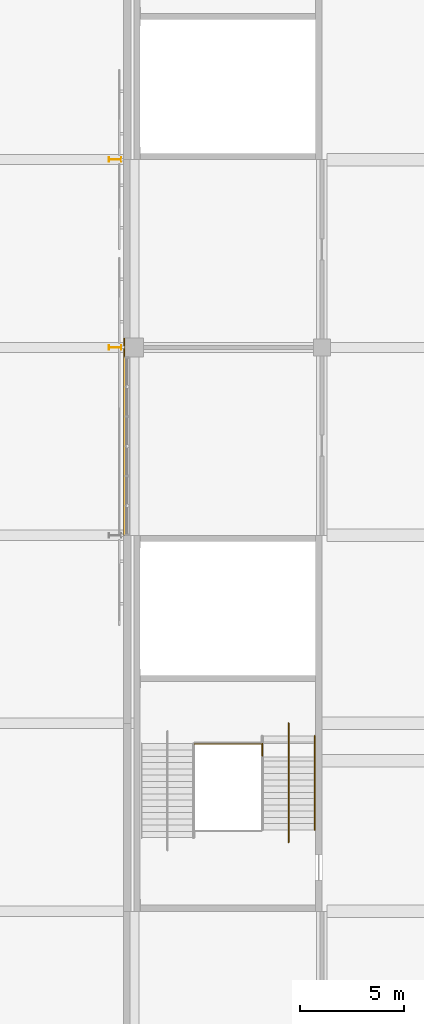
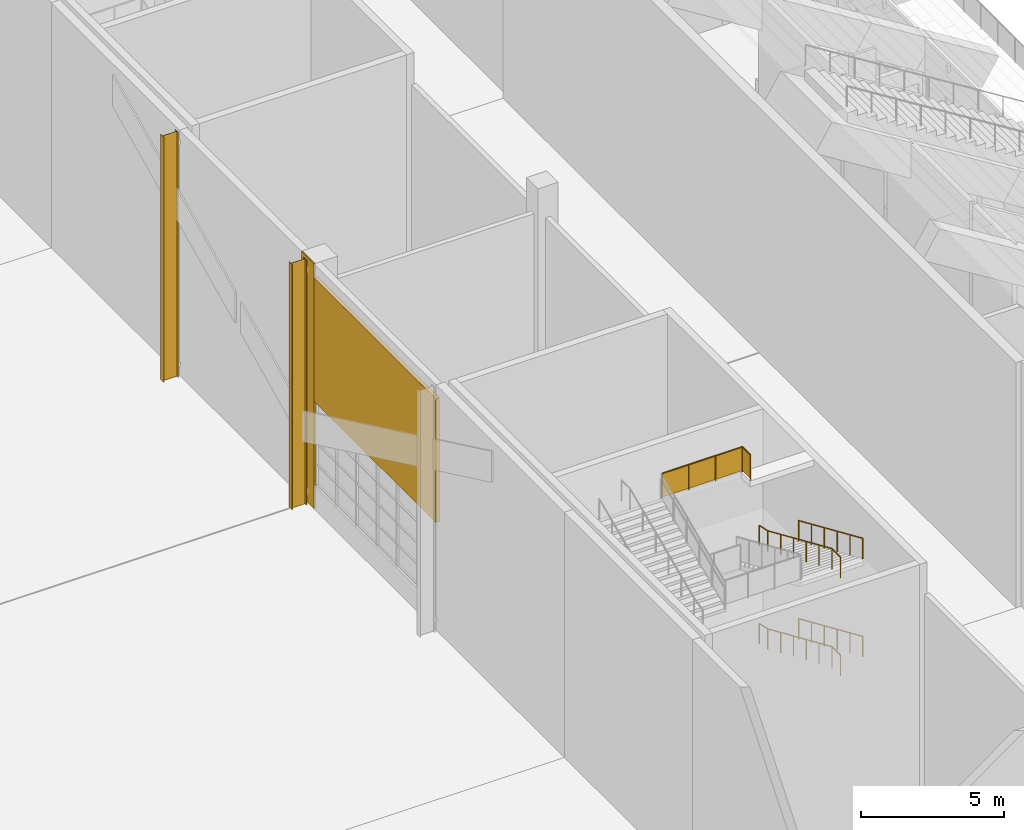
# One storey, part 148 of 182: 5 railings, 2 coverings, 2 shading devices.
"""IFC4 building model written with IfcOpenShell, lengths in metres."""

from ifc_helpers import new_model, si_unit, direction, frame, origin, origin_2d, place, context, subcontext, project, spatial, polyline, circle, i_section, outline, extrude, material, layer, layer_set, material_profile, profile_set, type_object, element, save


model = new_model("IFC4")

# Units and contexts
model_context = context("Model", 3, precision=1e-05, world=origin(), true_north=direction((0.0, 1.0)))
body_context = subcontext(model_context, "Body", "Model", "MODEL_VIEW")
ifc_project = project(units=[si_unit("LENGTHUNIT", "METRE"), si_unit("AREAUNIT", "SQUARE_METRE"), si_unit("VOLUMEUNIT", "CUBIC_METRE"), si_unit("PLANEANGLEUNIT", "RADIAN"), si_unit("MASSUNIT", "GRAM", prefix="KILO")], contexts=[model_context])

# Site, building, storey
site_placement = place(None, origin())
site = spatial("IfcSite", under=ifc_project, at=site_placement, CompositionType="ELEMENT")
building_placement = place(site_placement, origin())
building = spatial("IfcBuilding", under=site, at=building_placement, Name="Silverbay Arena", CompositionType="ELEMENT")
storey_placement = place(building_placement, frame((0.0, 0.0, 11.5)))
storey = spatial("IfcBuildingStorey", under=building, at=storey_placement, Name="L02", CompositionType="ELEMENT", Elevation=11.5)

# Coverings
ifc_material_1 = material(Name="Aluminium composite cladding", Category="aluminium")
ifc_layer_1 = layer(ifc_material_1, 0.050048828125)
ifc_layer_set_1 = layer_set([ifc_layer_1], Name="Aluminium composite cladding")
covering_type_1 = type_object("IfcCoveringType", Name="Column cladding 50", PredefinedType="CLADDING", material=ifc_layer_set_1)
covering_1_placement = place(storey_placement, origin())
element("IfcCovering", 1, at=covering_1_placement, inside=storey, type_object=covering_type_1, Name="West column cladding L02 9", PredefinedType="CLADDING", context=body_context, shape_type="SweptSolid", body=[
    extrude(outline(polyline([(53.5, 80.550048828125), (53.550048828125, 80.550048828125), (53.550048828125, 81.449951171875), (53.5, 81.449951171875), (53.5, 80.550048828125)])), origin(), (0.0, 0.0, 1.0), 10.5),
])
ifc_material_2 = material(Name="Aluminium composite cladding", Category="aluminium")
ifc_layer_2 = layer(ifc_material_2, 0.14990234375)
ifc_layer_set_2 = layer_set([ifc_layer_2], Name="Aluminium composite cladding")
covering_type_2 = type_object("IfcCoveringType", Name="Facade cladding panel 150", PredefinedType="CLADDING", material=ifc_layer_set_2)
covering_2_placement = place(storey_placement, frame((0.0, 0.0, 4.60009765625)))
element("IfcCovering", 2, at=covering_2_placement, inside=storey, type_object=covering_type_2, Name="West facade cladding L02 bay 7", PredefinedType="CLADDING", context=body_context, shape_type="SweptSolid", body=[
    extrude(outline(polyline([(53.5, 72.0), (53.64990234375, 72.0), (53.64990234375, 80.550048828125), (53.5, 80.550048828125), (53.5, 72.0)])), origin(), (0.0, 0.0, 1.0), 5.2998046875),
])

# Railings
ifc_material_3 = material(Name="Stainless steel", Category="steel")
railing_type_1 = type_object("IfcRailingType", Name="Stair guard 1100", PredefinedType="GUARDRAIL", material=ifc_material_3)
railing_1_placement = place(storey_placement, frame((60.14990234375, 61.449951171875, 10.5)))
element("IfcRailing", 3, at=railing_1_placement, inside=storey, type_object=railing_type_1, Name="Stair ST-W1 L02 to L03 landing 5 guard", PredefinedType="GUARDRAIL", context=body_context, shape_type="SweptSolid", body=[
    extrude(circle(Radius=0.02392578125, at=origin_2d()), frame((0.0, 0.0, 1.076171875), z_axis=(0.0, 1.0, 0.0), x_axis=(-1.0, 0.0, 0.0)), (0.0, 0.0, 1.0), 0.575927734375),
    extrude(outline(polyline([(-0.008056640625, 0.050048828125), (0.583984375, 0.050048828125), (0.583984375, 1.052978515625), (-0.008056640625, 1.052978515625), (-0.008056640625, 0.050048828125)])), frame((-0.0029296875, 0.0, 0.0), z_axis=(1.0, 0.0, 0.0), x_axis=(0.0, 1.0, 0.0)), (0.0, 0.0, 1.0), 0.006103515625),
    extrude(circle(Radius=0.02392578125, at=origin_2d()), frame((0.0, 0.575927734375, 1.076171875), z_axis=(-1.0, 0.0, 0.0), x_axis=(0.0, -1.0, 0.0)), (0.0, 0.0, 1.0), 3.25),
    extrude(outline(polyline([(-0.008056640625, 0.050048828125), (1.09130859375, 0.050048828125), (1.09130859375, 1.052978515625), (-0.008056640625, 1.052978515625), (-0.008056640625, 0.050048828125)])), frame((0.0, 0.572998046875, 0.0), z_axis=(0.0, 1.0, 0.0), x_axis=(-1.0, 0.0, 0.0)), (0.0, 0.0, 1.0), 0.006103515625),
    extrude(outline(polyline([(-0.008056640625, 0.050048828125), (1.09130859375, 0.050048828125), (1.09130859375, 1.052978515625), (-0.008056640625, 1.052978515625), (-0.008056640625, 0.050048828125)])), frame((-1.083251953125, 0.572998046875, 0.0), z_axis=(0.0, 1.0, 0.0), x_axis=(-1.0, 0.0, 0.0)), (0.0, 0.0, 1.0), 0.006103515625),
    extrude(outline(polyline([(-0.008056640625, 0.050048828125), (1.09130859375, 0.050048828125), (1.09130859375, 1.052978515625), (-0.008056640625, 1.052978515625), (-0.008056640625, 0.050048828125)])), frame((-2.166748046875, 0.572998046875, 0.0), z_axis=(0.0, 1.0, 0.0), x_axis=(-1.0, 0.0, 0.0)), (0.0, 0.0, 1.0), 0.006103515625),
    extrude(circle(Radius=0.02099609375, at=origin_2d()), origin(), (0.0, 0.0, 1.0), 1.052001953125),
    extrude(circle(Radius=0.02099609375, at=origin_2d()), frame((0.0, 0.575927734375, 0.0)), (0.0, 0.0, 1.0), 1.052001953125),
    extrude(circle(Radius=0.02099609375, at=origin_2d()), frame((-1.083251953125, 0.575927734375, 0.0)), (0.0, 0.0, 1.0), 1.052001953125),
    extrude(circle(Radius=0.02099609375, at=origin_2d()), frame((-2.166748046875, 0.575927734375, 0.0)), (0.0, 0.0, 1.0), 1.052001953125),
    extrude(circle(Radius=0.02099609375, at=origin_2d()), frame((-3.25, 0.575927734375, 0.0)), (0.0, 0.0, 1.0), 1.052001953125),
])
ifc_material_4 = material(Name="Stainless steel", Category="steel")
railing_type_2 = type_object("IfcRailingType", Name="Stair handrail 900", PredefinedType="HANDRAIL", material=ifc_material_4)
railing_2_placement = place(storey_placement, frame((62.64990234375, 62.39990234375, 2.231201171875)))
element("IfcRailing", 4, at=railing_2_placement, inside=storey, type_object=railing_type_2, Name="Stair ST-W1 L02 to L03 flight 2 handrail left", PredefinedType="HANDRAIL", context=body_context, shape_type="SweptSolid", body=[
    extrude(circle(Radius=0.02392578125, at=origin_2d()), frame((0.0, 0.0, 0.8759765625), z_axis=(0.0, -0.916157334902, 0.40081883402), x_axis=(1.0, 0.0, 0.0)), (0.0, 0.0, 1.0), 4.911865234375),
    extrude(circle(Radius=0.02099609375, at=origin_2d()), origin(), (0.0, 0.0, 1.0), 0.851806640625),
    extrude(circle(Radius=0.02099609375, at=origin_2d()), frame((0.0, -0.89990234375, 0.393798828125)), (0.0, 0.0, 1.0), 0.851806640625),
    extrude(circle(Radius=0.02099609375, at=origin_2d()), frame((0.0, -1.800048828125, 0.78759765625)), (0.0, 0.0, 1.0), 0.851806640625),
    extrude(circle(Radius=0.02099609375, at=origin_2d()), frame((0.0, -2.699951171875, 1.18115234375)), (0.0, 0.0, 1.0), 0.851806640625),
    extrude(circle(Radius=0.02099609375, at=origin_2d()), frame((0.0, -3.60009765625, 1.574951171875)), (0.0, 0.0, 1.0), 0.851806640625),
    extrude(circle(Radius=0.02099609375, at=origin_2d()), frame((0.0, -4.5, 1.96875)), (0.0, 0.0, 1.0), 0.851806640625),
])
railing_3_placement = place(storey_placement, frame((61.39990234375, 63.0, 2.10009765625)))
element("IfcRailing", 5, at=railing_3_placement, inside=storey, type_object=railing_type_2, Name="Stair ST-W1 L02 to L03 flight 2 central handrail", PredefinedType="HANDRAIL", context=body_context, shape_type="SweptSolid", body=[
    extrude(circle(Radius=0.02392578125, at=origin_2d()), frame((0.0, 0.0, 0.8759765625), z_axis=(0.0, -0.976957027196, 0.213436095852), x_axis=(1.0, 0.0, 0.0)), (0.0, 0.0, 1.0), 0.6142578125),
    extrude(circle(Radius=0.02392578125, at=origin_2d()), frame((0.0, -0.60009765625, 1.0068359375), z_axis=(0.0, -0.916157334902, 0.40081883402), x_axis=(1.0, 0.0, 0.0)), (0.0, 0.0, 1.0), 4.911865234375),
    extrude(circle(Radius=0.02392578125, at=origin_2d()), frame((0.0, -5.10009765625, 2.9755859375), z_axis=(0.0, -1.0, 0.0), x_axis=(1.0, 0.0, 0.0)), (0.0, 0.0, 1.0), 0.599853515625),
    extrude(circle(Radius=0.02099609375, at=origin_2d()), origin(), (0.0, 0.0, 1.0), 0.851806640625),
    extrude(circle(Radius=0.02099609375, at=origin_2d()), frame((0.0, -0.60009765625, 0.131103515625)), (0.0, 0.0, 1.0), 0.851806640625),
    extrude(circle(Radius=0.02099609375, at=origin_2d()), frame((0.0, -1.5, 0.52490234375)), (0.0, 0.0, 1.0), 0.851806640625),
    extrude(circle(Radius=0.02099609375, at=origin_2d()), frame((0.0, -2.400146484375, 0.918701171875)), (0.0, 0.0, 1.0), 0.851806640625),
    extrude(circle(Radius=0.02099609375, at=origin_2d()), frame((0.0, -3.300048828125, 1.312255859375)), (0.0, 0.0, 1.0), 0.851806640625),
    extrude(circle(Radius=0.02099609375, at=origin_2d()), frame((0.0, -4.2001953125, 1.7060546875)), (0.0, 0.0, 1.0), 0.851806640625),
    extrude(circle(Radius=0.02099609375, at=origin_2d()), frame((0.0, -5.10009765625, 2.099853515625)), (0.0, 0.0, 1.0), 0.851806640625),
    extrude(circle(Radius=0.02099609375, at=origin_2d()), frame((0.0, -5.699951171875, 2.099853515625)), (0.0, 0.0, 1.0), 0.851806640625),
])
railing_4_placement = place(storey_placement, frame((62.64990234375, 62.39990234375, 6.43115234375)))
element("IfcRailing", 6, at=railing_4_placement, inside=storey, type_object=railing_type_2, Name="Stair ST-W1 L02 to L03 flight 4 handrail left", PredefinedType="HANDRAIL", context=body_context, shape_type="SweptSolid", body=[
    extrude(circle(Radius=0.02392578125, at=origin_2d()), frame((0.0, 0.0, 0.8759765625), z_axis=(0.0, -0.916157334902, 0.40081883402), x_axis=(1.0, 0.0, 0.0)), (0.0, 0.0, 1.0), 4.911865234375),
    extrude(circle(Radius=0.02099609375, at=origin_2d()), origin(), (0.0, 0.0, 1.0), 0.851806640625),
    extrude(circle(Radius=0.02099609375, at=origin_2d()), frame((0.0, -0.89990234375, 0.393798828125)), (0.0, 0.0, 1.0), 0.851806640625),
    extrude(circle(Radius=0.02099609375, at=origin_2d()), frame((0.0, -1.800048828125, 0.78759765625)), (0.0, 0.0, 1.0), 0.851806640625),
    extrude(circle(Radius=0.02099609375, at=origin_2d()), frame((0.0, -2.699951171875, 1.18115234375)), (0.0, 0.0, 1.0), 0.851806640625),
    extrude(circle(Radius=0.02099609375, at=origin_2d()), frame((0.0, -3.60009765625, 1.574951171875)), (0.0, 0.0, 1.0), 0.851806640625),
    extrude(circle(Radius=0.02099609375, at=origin_2d()), frame((0.0, -4.5, 1.96875)), (0.0, 0.0, 1.0), 0.851806640625),
])
railing_5_placement = place(storey_placement, frame((61.39990234375, 63.0, 6.300048828125)))
element("IfcRailing", 7, at=railing_5_placement, inside=storey, type_object=railing_type_2, Name="Stair ST-W1 L02 to L03 flight 4 central handrail", PredefinedType="HANDRAIL", context=body_context, shape_type="SweptSolid", body=[
    extrude(circle(Radius=0.02392578125, at=origin_2d()), frame((0.0, 0.0, 0.8759765625), z_axis=(0.0, -0.976957027196, 0.213436095852), x_axis=(1.0, 0.0, 0.0)), (0.0, 0.0, 1.0), 0.6142578125),
    extrude(circle(Radius=0.02392578125, at=origin_2d()), frame((0.0, -0.60009765625, 1.0068359375), z_axis=(0.0, -0.916157334902, 0.40081883402), x_axis=(1.0, 0.0, 0.0)), (0.0, 0.0, 1.0), 4.911865234375),
    extrude(circle(Radius=0.02392578125, at=origin_2d()), frame((0.0, -5.10009765625, 2.9755859375), z_axis=(0.0, -1.0, 0.0), x_axis=(1.0, 0.0, 0.0)), (0.0, 0.0, 1.0), 0.599853515625),
    extrude(circle(Radius=0.02099609375, at=origin_2d()), origin(), (0.0, 0.0, 1.0), 0.851806640625),
    extrude(circle(Radius=0.02099609375, at=origin_2d()), frame((0.0, -0.60009765625, 0.131103515625)), (0.0, 0.0, 1.0), 0.851806640625),
    extrude(circle(Radius=0.02099609375, at=origin_2d()), frame((0.0, -1.5, 0.52490234375)), (0.0, 0.0, 1.0), 0.851806640625),
    extrude(circle(Radius=0.02099609375, at=origin_2d()), frame((0.0, -2.400146484375, 0.918701171875)), (0.0, 0.0, 1.0), 0.851806640625),
    extrude(circle(Radius=0.02099609375, at=origin_2d()), frame((0.0, -3.300048828125, 1.312255859375)), (0.0, 0.0, 1.0), 0.851806640625),
    extrude(circle(Radius=0.02099609375, at=origin_2d()), frame((0.0, -4.2001953125, 1.7060546875)), (0.0, 0.0, 1.0), 0.851806640625),
    extrude(circle(Radius=0.02099609375, at=origin_2d()), frame((0.0, -5.10009765625, 2.099853515625)), (0.0, 0.0, 1.0), 0.851806640625),
    extrude(circle(Radius=0.02099609375, at=origin_2d()), frame((0.0, -5.699951171875, 2.099853515625)), (0.0, 0.0, 1.0), 0.851806640625),
])

# Shading devices
ifc_material_5 = material(Name="Steel S355", Category="steel")
ifc_material_profile = material_profile(ifc_material_5, i_section(OverallWidth=0.2275390625, OverallDepth=0.6025390625, WebThickness=0.010498046875, FlangeThickness=0.014892578125, at=origin_2d()), Name="UB 610x229x101")
ifc_profile_set = profile_set([ifc_material_profile], Name="Steel S355")
shading_device_type = type_object("IfcShadingDeviceType", Name="Steel fin UB 610x229x101", PredefinedType="USERDEFINED", material=ifc_profile_set)
for number, where, z_axis, x_axis, name in (
    (8, (53.0986328125, 81.0, 0.0), (0.0, 0.0, 1.0), (0.0, 1.0, 0.0), "Steel fin W L02 14"),
    (9, (53.0986328125, 90.0, 0.0), (0.0, 0.0, 1.0), (0.0, 1.0, 0.0), "Steel fin W L02 16"),
):
    element("IfcShadingDevice", number, at=place(storey_placement, frame(where, z_axis=z_axis, x_axis=x_axis)), inside=storey, type_object=shading_device_type, Name=name, ObjectType="FIN", PredefinedType="USERDEFINED", context=body_context, shape_type="SweptSolid", body=[
        extrude(i_section(OverallWidth=0.2275390625, OverallDepth=0.6025390625, WebThickness=0.010498046875, FlangeThickness=0.014892578125, at=origin_2d()), origin(), (0.0, 0.0, 1.0), 10.5),
    ])

save(model, "model.ifc")
